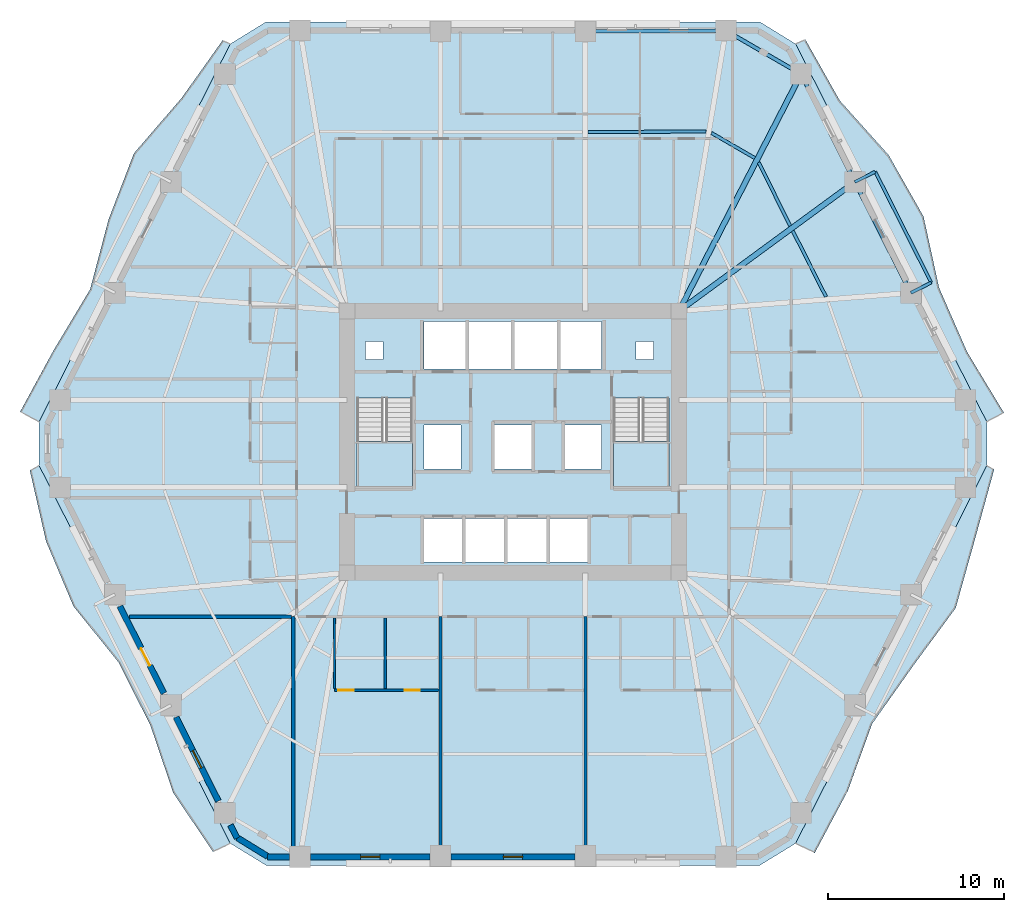
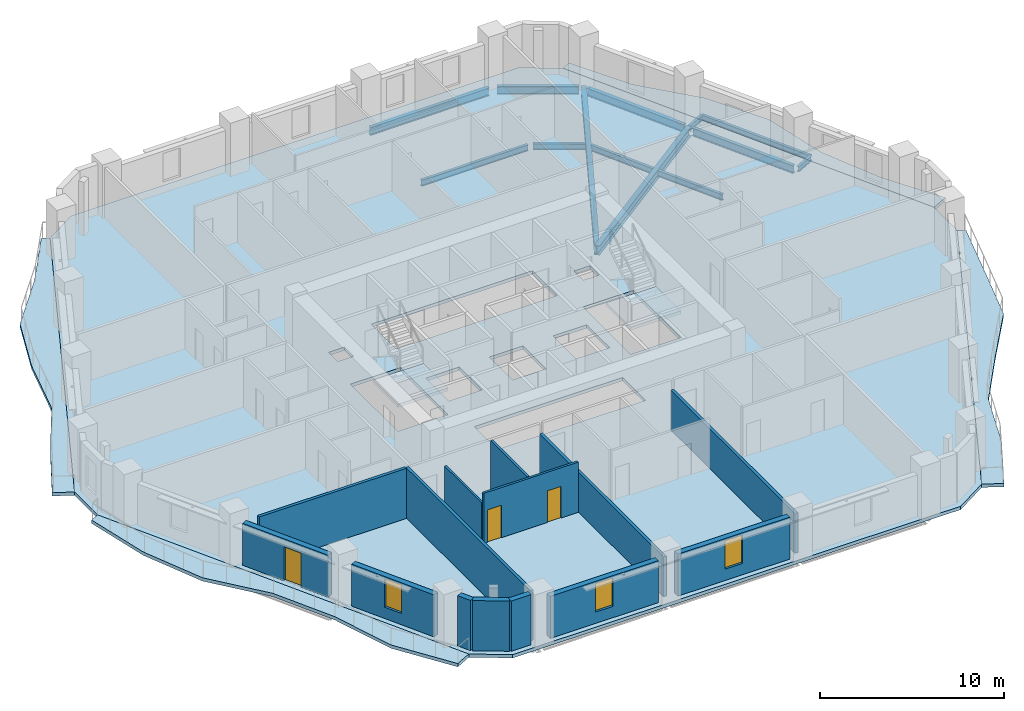
# One storey, part 3 of 14: 14 walls, 13 beams, 7 slabs, 3 doors, 3 windows, 6 openings, 2 elements without a shape of their own.
"""IFC4 building model written with IfcOpenShell, lengths in metres."""

from ifc_helpers import new_model, si_unit, direction, frame, frame_2d, origin, origin_2d, place, context, subcontext, project, spatial, polyline, rectangle, i_section, outline, extrude, material, layer, layer_set, material_profile, profile_set, type_object, element, fill, aggregate, save


model = new_model("IFC4")

# Units and contexts
model_context = context("Model", 3, precision=1e-05, world=origin(), true_north=direction((0.0, 1.0)))
body_context = subcontext(model_context, "Body", "Model", "MODEL_VIEW")
ifc_project = project(units=[si_unit("LENGTHUNIT", "METRE"), si_unit("AREAUNIT", "SQUARE_METRE"), si_unit("VOLUMEUNIT", "CUBIC_METRE"), si_unit("PLANEANGLEUNIT", "RADIAN"), si_unit("MASSUNIT", "GRAM", prefix="KILO")], contexts=[model_context])

# Site, building, storey
site_placement = place(None, origin())
site = spatial("IfcSite", under=ifc_project, at=site_placement, CompositionType="ELEMENT")
building_placement = place(site_placement, origin())
building = spatial("IfcBuilding", under=site, at=building_placement, Name="Cinnabar Lancet Tower", CompositionType="ELEMENT")
storey_placement = place(building_placement, frame((0.0, 0.0, 39.10009765625)))
storey = spatial("IfcBuildingStorey", under=building, at=storey_placement, Name="L09", CompositionType="ELEMENT", Elevation=39.10009765625)

# Beams
ifc_material_1 = material(Name="Structural steel S355", Category="steel")
ifc_material_profile_1 = material_profile(ifc_material_1, i_section(OverallWidth=0.177978515625, OverallDepth=0.406494140625, WebThickness=0.0078125, FlangeThickness=0.0126953125, FilletRadius=0.01025390625, at=origin_2d()), Name="UKB 406x178x60")
ifc_profile_set_1 = profile_set([ifc_material_profile_1], Name="Structural steel S355")
beam_type_1 = type_object("IfcBeamType", Name="STR-BM-JST-406", PredefinedType="JOIST", material=ifc_profile_set_1)
beam_1_placement = place(storey_placement, frame((50.220947265625, 34.156982421875, -0.423095703125), z_axis=(-0.450834254961, 0.89260768233, 0.0), x_axis=(-0.89260768233, -0.450834254961, 0.0)))
element("IfcBeam", 1, at=beam_1_placement, inside=storey, type_object=beam_type_1, Name="L09 Secondary Floor Joist 27", PredefinedType="JOIST", context=body_context, shape_type="SweptSolid", body=[
    extrude(i_section(OverallWidth=0.177978515625, OverallDepth=0.406494140625, WebThickness=0.0078125, FlangeThickness=0.0126953125, FilletRadius=0.01025390625, at=origin_2d()), origin(), (0.0, 0.0, 1.0), 4.203369140625),
])
beam_2_placement = place(storey_placement, frame((48.18603515625, 38.18798828125, -0.423095703125), z_axis=(-0.445738672706, 0.895163133543, 0.0), x_axis=(-0.895163133543, -0.445738672706, 0.0)))
element("IfcBeam", 2, at=beam_2_placement, inside=storey, type_object=beam_type_1, Name="L09 Secondary Floor Joist 29", PredefinedType="JOIST", context=body_context, shape_type="SweptSolid", body=[
    extrude(i_section(OverallWidth=0.177978515625, OverallDepth=0.406494140625, WebThickness=0.0078125, FlangeThickness=0.0126953125, FilletRadius=0.01025390625, at=origin_2d()), origin(), (0.0, 0.0, 1.0), 4.04052734375),
])
beam_3_placement = place(storey_placement, frame((46.1669921875, 42.052001953125, -0.423095703125), z_axis=(-0.865113631149, 0.50157592167, 0.0), x_axis=(-0.50157592167, -0.865113631149, 0.0)))
element("IfcBeam", 3, at=beam_3_placement, inside=storey, type_object=beam_type_1, Name="L09 Secondary Floor Joist 31", PredefinedType="JOIST", context=body_context, shape_type="SweptSolid", body=[
    extrude(i_section(OverallWidth=0.177978515625, OverallDepth=0.406494140625, WebThickness=0.0078125, FlangeThickness=0.0126953125, FilletRadius=0.01025390625, at=origin_2d()), origin(), (0.0, 0.0, 1.0), 2.852783203125),
])
beam_4_placement = place(storey_placement, frame((43.40087890625, 43.56396484375, -0.423095703125), z_axis=(-0.999988691118, -0.004755800274, 0.0), x_axis=(0.004755800274, -0.999988691118, 0.0)))
element("IfcBeam", 4, at=beam_4_placement, inside=storey, type_object=beam_type_1, Name="L09 Secondary Floor Joist 33", PredefinedType="JOIST", context=body_context, shape_type="SweptSolid", body=[
    extrude(i_section(OverallWidth=0.177978515625, OverallDepth=0.406494140625, WebThickness=0.0078125, FlangeThickness=0.0126953125, FilletRadius=0.01025390625, at=origin_2d()), origin(), (0.0, 0.0, 1.0), 6.724853515625),
])
ifc_material_2 = material(Name="Structural steel S355", Category="steel")
ifc_material_profile_2 = material_profile(ifc_material_2, i_section(OverallWidth=0.209228515625, OverallDepth=0.533203125, WebThickness=0.010009765625, FlangeThickness=0.015625, FilletRadius=0.0126953125, at=origin_2d()), Name="UKB 533x210x92")
ifc_profile_set_2 = profile_set([ifc_material_profile_2], Name="Structural steel S355")
beam_type_2 = type_object("IfcBeamType", Name="STR-BM-SPN-533", PredefinedType="SPANDREL", material=ifc_profile_set_2)
beam_5_placement = place(storey_placement, frame((54.93310546875, 34.60302734375, -0.487060546875), z_axis=(-0.450703143926, 0.892673891214, 0.0), x_axis=(-0.892673891214, -0.450703143926, 0.0)))
element("IfcBeam", 5, at=beam_5_placement, inside=storey, type_object=beam_type_2, Name="L09 Perimeter Spandrel 10", PredefinedType="SPANDREL", context=body_context, shape_type="SweptSolid", body=[
    extrude(i_section(OverallWidth=0.209228515625, OverallDepth=0.533203125, WebThickness=0.010009765625, FlangeThickness=0.015625, FilletRadius=0.0126953125, at=origin_2d()), origin(), (0.0, 0.0, 1.0), 6.570068359375),
])
beam_6_placement = place(storey_placement, frame((51.748046875, 40.9150390625, -0.487060546875), z_axis=(-0.445953050023, 0.89505635419, 0.0), x_axis=(-0.89505635419, -0.445953050023, 0.0)))
element("IfcBeam", 6, at=beam_6_placement, inside=storey, type_object=beam_type_2, Name="L09 Perimeter Spandrel 11", PredefinedType="SPANDREL", context=body_context, shape_type="SweptSolid", body=[
    extrude(i_section(OverallWidth=0.209228515625, OverallDepth=0.533203125, WebThickness=0.010009765625, FlangeThickness=0.015625, FilletRadius=0.0126953125, at=origin_2d()), origin(), (0.0, 0.0, 1.0), 6.35498046875),
])
beam_7_placement = place(storey_placement, frame((48.5869140625, 46.951904296875, -0.487060546875), z_axis=(-0.865147238596, 0.501517951374, 0.0), x_axis=(-0.501517951374, -0.865147238596, 0.0)))
element("IfcBeam", 7, at=beam_7_placement, inside=storey, type_object=beam_type_2, Name="L09 Perimeter Spandrel 12", PredefinedType="SPANDREL", context=body_context, shape_type="SweptSolid", body=[
    extrude(i_section(OverallWidth=0.209228515625, OverallDepth=0.533203125, WebThickness=0.010009765625, FlangeThickness=0.015625, FilletRadius=0.0126953125, at=origin_2d()), origin(), (0.0, 0.0, 1.0), 4.454833984375),
])
beam_8_placement = place(storey_placement, frame((44.26708984375, 49.30908203125, -0.487060546875), z_axis=(-0.99997856757, -0.006547090947, 0.0), x_axis=(0.006547090947, -0.99997856757, 0.0)))
element("IfcBeam", 8, at=beam_8_placement, inside=storey, type_object=beam_type_2, Name="L09 Perimeter Spandrel 13", PredefinedType="SPANDREL", context=body_context, shape_type="SweptSolid", body=[
    extrude(i_section(OverallWidth=0.209228515625, OverallDepth=0.533203125, WebThickness=0.010009765625, FlangeThickness=0.015625, FilletRadius=0.0126953125, at=origin_2d()), origin(), (0.0, 0.0, 1.0), 7.495361328125),
])
ifc_material_3 = material(Name="Structural steel S355", Category="steel")
ifc_material_profile_3 = material_profile(ifc_material_3, i_section(OverallWidth=0.30712890625, OverallDepth=0.6201171875, WebThickness=0.01416015625, FlangeThickness=0.023681640625, FilletRadius=0.0166015625, at=origin_2d()), Name="UKB 610x305x179")
ifc_profile_set_3 = profile_set([ifc_material_profile_3], Name="Structural steel S355")
beam_type_3 = type_object("IfcBeamType", Name="STR-BM-UKB610-179", PredefinedType="BEAM", material=ifc_profile_set_3)
beam_9_placement = place(storey_placement, frame((51.85888671875, 40.69091796875, -0.530029296875), z_axis=(-0.80636497312, -0.591418236213, 0.0), x_axis=(0.591418236213, -0.80636497312, 0.0)))
element("IfcBeam", 9, at=beam_9_placement, inside=storey, type_object=beam_type_3, Name="L09 Corner Collector Girder 3", PredefinedType="BEAM", context=body_context, shape_type="SweptSolid", body=[
    extrude(i_section(OverallWidth=0.30712890625, OverallDepth=0.6201171875, WebThickness=0.01416015625, FlangeThickness=0.023681640625, FilletRadius=0.0166015625, at=origin_2d()), origin(), (0.0, 0.0, 1.0), 12.412353515625),
])
beam_10_placement = place(storey_placement, frame((48.802978515625, 46.826904296875, -0.530029296875), z_axis=(-0.458492410387, -0.888698323177, 0.0), x_axis=(0.888698323177, -0.458492410387, 0.0)))
element("IfcBeam", 10, at=beam_10_placement, inside=storey, type_object=beam_type_3, Name="L09 Primary Floor Girder 12", PredefinedType="BEAM", context=body_context, shape_type="SweptSolid", body=[
    extrude(i_section(OverallWidth=0.30712890625, OverallDepth=0.6201171875, WebThickness=0.01416015625, FlangeThickness=0.023681640625, FilletRadius=0.0166015625, at=origin_2d()), origin(), (0.0, 0.0, 1.0), 15.16455078125),
])
ifc_material_4 = material(Name="Structural steel S355", Category="steel")
ifc_material_profile_4 = material_profile(ifc_material_4, i_section(OverallWidth=0.17138671875, OverallDepth=0.35498046875, WebThickness=0.00732421875, FlangeThickness=0.011474609375, FilletRadius=0.01025390625, at=origin_2d()), Name="UKB 356x171x51")
ifc_profile_set_4 = profile_set([ifc_material_profile_4], Name="Structural steel S355")
beam_type_4 = type_object("IfcBeamType", Name="STR-BM-WAV-OUT", PredefinedType="BEAM", material=ifc_profile_set_4)
for number, where, z_axis, x_axis, name in (
    (11, (55.0458984375, 34.3798828125, -0.397216796875), (0.892238560088, 0.451564338597, 0.0), (-0.451564338597, 0.892238560088, 0.0), "L09 Face 3 Balcony Outlooker A"),
    (12, (51.85888671875, 40.69091796875, -0.397216796875), (0.892238560088, 0.451564338597, 0.0), (-0.451564338597, 0.892238560088, 0.0), "L09 Face 3 Balcony Outlooker B"),
):
    element("IfcBeam", number, at=place(storey_placement, frame(where, z_axis=z_axis, x_axis=x_axis)), inside=storey, type_object=beam_type_4, Name=name, PredefinedType="BEAM", context=body_context, shape_type="SweptSolid", body=[
        extrude(i_section(OverallWidth=0.17138671875, OverallDepth=0.35498046875, WebThickness=0.00732421875, FlangeThickness=0.011474609375, FilletRadius=0.01025390625, at=origin_2d()), origin(), (0.0, 0.0, 1.0), 1.30029296875),
    ])
ifc_material_5 = material(Name="Structural steel S355", Category="steel")
ifc_material_profile_5 = material_profile(ifc_material_5, i_section(OverallWidth=0.17138671875, OverallDepth=0.35498046875, WebThickness=0.00732421875, FlangeThickness=0.011474609375, FilletRadius=0.01025390625, at=origin_2d()), Name="UKB 356x171x51")
ifc_profile_set_5 = profile_set([ifc_material_profile_5], Name="Structural steel S355")
beam_type_5 = type_object("IfcBeamType", Name="STR-BM-WAV-TRIM", PredefinedType="SPANDREL", material=ifc_profile_set_5)
beam_11_placement = place(storey_placement, frame((56.2060546875, 34.967041015625, -0.397216796875), z_axis=(-0.450773692627, 0.892638268301, 0.0), x_axis=(-0.892638268301, -0.450773692627, 0.0)))
element("IfcBeam", 13, at=beam_11_placement, inside=storey, type_object=beam_type_5, Name="L09 Face 3 Balcony Edge Trimmer", PredefinedType="SPANDREL", context=body_context, shape_type="SweptSolid", body=[
    extrude(i_section(OverallWidth=0.17138671875, OverallDepth=0.35498046875, WebThickness=0.00732421875, FlangeThickness=0.011474609375, FilletRadius=0.01025390625, at=origin_2d()), origin(), (0.0, 0.0, 1.0), 7.070068359375),
])

# Stair, slab
ifc_material_6 = material(Name="Concrete C40/50", Category="concrete")
stair_type = type_object("IfcStairType", Name="ST-CORE", PredefinedType="HALF_TURN_STAIR", material=ifc_material_6)
stair_1_placement = place(storey_placement, origin())
stair_1 = element("IfcStair", 14, at=stair_1_placement, inside=storey, type_object=stair_type, Name="L09 ST-1", PredefinedType="HALF_TURN_STAIR")
ifc_material_7 = material(Name="Concrete C40/50", Category="concrete")
ifc_layer_1 = layer(ifc_material_7, 0.199951171875)
ifc_layer_set_1 = layer_set([ifc_layer_1], Name="Concrete C40/50")
slab_type_1 = type_object("IfcSlabType", Name="LANDING-CORE", PredefinedType="LANDING", material=ifc_layer_set_1)
slab_1_placement = place(storey_placement, frame((0.0, 0.0, 1.574951171875)))
slab_1 = element("IfcSlab", 15, at=slab_1_placement, type_object=slab_type_1, Name="ST-1 landing 1", PredefinedType="LANDING", context=body_context, shape_type="SweptSolid", body=[
    extrude(outline(polyline([(23.52490234375, 25.925048828125), (23.52490234375, 23.25), (26.675048828125, 23.25), (26.675048828125, 25.925048828125), (23.52490234375, 25.925048828125)])), origin(), (0.0, 0.0, 1.0), 0.199951171875),
])
aggregate(stair_1, [slab_1])

stair_2_placement = place(storey_placement, origin())
stair_2 = element("IfcStair", 16, at=stair_2_placement, inside=storey, type_object=stair_type, Name="L09 ST-2", PredefinedType="HALF_TURN_STAIR")
slab_2_placement = place(storey_placement, frame((0.0, 0.0, 1.574951171875)))
slab_2 = element("IfcSlab", 17, at=slab_2_placement, type_object=slab_type_1, Name="ST-2 landing 1", PredefinedType="LANDING", context=body_context, shape_type="SweptSolid", body=[
    extrude(outline(polyline([(38.125, 25.925048828125), (38.125, 23.25), (41.27490234375, 23.25), (41.27490234375, 25.925048828125), (38.125, 25.925048828125)])), origin(), (0.0, 0.0, 1.0), 0.199951171875),
])
aggregate(stair_2, [slab_2])

# Slabs
ifc_material_8 = material(Name="Concrete C40/50", Category="concrete")
ifc_layer_2 = layer(ifc_material_8, 0.219970703125)
ifc_layer_set_2 = layer_set([ifc_layer_2], Name="Concrete C40/50")
slab_type_2 = type_object("IfcSlabType", Name="STR-SLB-FLR-220", PredefinedType="FLOOR", material=ifc_layer_set_2)
slab_3_placement = place(storey_placement, frame((0.0, 0.0, -0.22021484375)))
element("IfcSlab", 18, at=slab_3_placement, inside=storey, type_object=slab_type_2, Name="L09 Structural Floor Slab", PredefinedType="FLOOR", context=body_context, shape_type="SweptSolid", body=[
    extrude(outline(polyline([(16.31201171875, 3.049072265625), (18.343994140625, 1.800048828125), (46.4560546875, 1.800048828125), (48.488037109375, 3.049072265625), (59.367919921875, 24.551025390625), (59.367919921875, 27.049072265625), (48.488037109375, 48.551025390625), (46.4560546875, 49.800048828125), (18.343994140625, 49.800048828125), (16.31201171875, 48.551025390625), (5.431884765625, 27.049072265625), (5.431884765625, 24.551025390625), (16.31201171875, 3.049072265625)]), holes=[polyline([(23.52490234375, 23.25), (26.675048828125, 23.25), (26.675048828125, 28.3994140625), (23.52490234375, 28.3994140625), (23.52490234375, 23.25)]), polyline([(38.125, 23.25), (41.27490234375, 23.25), (41.27490234375, 28.3994140625), (38.125, 28.3994140625), (38.125, 23.25)]), polyline([(27.35009765625, 30.050048828125), (37.449951171875, 30.050048828125), (37.449951171875, 32.75), (27.35009765625, 32.75), (27.35009765625, 30.050048828125)]), polyline([(27.35009765625, 19.050048828125), (36.64990234375, 19.050048828125), (36.64990234375, 21.550048828125), (27.35009765625, 21.550048828125), (27.35009765625, 19.050048828125)]), polyline([(27.35009765625, 24.35009765625), (29.449951171875, 24.35009765625), (29.449951171875, 26.85009765625), (27.35009765625, 26.85009765625), (27.35009765625, 24.35009765625)]), polyline([(35.35009765625, 24.35009765625), (37.449951171875, 24.35009765625), (37.449951171875, 26.85009765625), (35.35009765625, 26.85009765625), (35.35009765625, 24.35009765625)]), polyline([(31.35009765625, 24.35009765625), (33.449951171875, 24.35009765625), (33.449951171875, 26.85009765625), (31.35009765625, 26.85009765625), (31.35009765625, 24.35009765625)]), polyline([(24.0, 30.60009765625), (25.0, 30.60009765625), (25.0, 31.60009765625), (24.0, 31.60009765625), (24.0, 30.60009765625)]), polyline([(39.39990234375, 30.60009765625), (40.39990234375, 30.60009765625), (40.39990234375, 31.60009765625), (39.39990234375, 31.60009765625), (39.39990234375, 30.60009765625)])]), origin(), (0.0, 0.0, 1.0), 0.22021484375),
])
ifc_material_9 = material(Name="Concrete C45/55", Category="concrete")
ifc_layer_3 = layer(ifc_material_9, 0.219970703125)
ifc_layer_set_3 = layer_set([ifc_layer_3], Name="Concrete C45/55")
slab_type_3 = type_object("IfcSlabType", Name="STR-SLB-WAV-220", PredefinedType="FLOOR", material=ifc_layer_set_3)
slab_4_placement = place(storey_placement, frame((0.0, 0.0, -0.22021484375)))
element("IfcSlab", 19, at=slab_4_placement, inside=storey, type_object=slab_type_3, Name="L09 Face 2 Undulating Wave Balcony Slab", PredefinedType="FLOOR", context=body_context, shape_type="SweptSolid", body=[
    extrude(outline(polyline([(48.488037109375, 3.049072265625), (49.573974609375, 2.5), (51.4609375, 6.0458984375), (52.839111328125, 9.85009765625), (55.18505859375, 13.1640625), (57.59912109375, 16.444091796875), (58.702880859375, 20.385986328125), (59.7900390625, 24.3369140625), (59.367919921875, 24.551025390625), (48.488037109375, 3.049072265625)])), origin(), (0.0, 0.0, 1.0), 0.22021484375),
])
slab_5_placement = place(storey_placement, frame((0.0, 0.0, -0.22021484375)))
element("IfcSlab", 20, at=slab_5_placement, inside=storey, type_object=slab_type_3, Name="L09 Face 3 Undulating Wave Balcony Slab", PredefinedType="FLOOR", context=body_context, shape_type="SweptSolid", body=[
    extrude(outline(polyline([(59.367919921875, 27.049072265625), (60.34912109375, 27.5458984375), (58.262939453125, 30.990966796875), (56.65087890625, 34.676025390625), (55.76611328125, 38.72998046875), (53.780029296875, 42.22607421875), (51.0009765625, 45.322021484375), (49.027099609375, 48.823974609375), (48.488037109375, 48.551025390625), (59.367919921875, 27.049072265625)])), origin(), (0.0, 0.0, 1.0), 0.22021484375),
])
slab_6_placement = place(storey_placement, frame((0.0, 0.0, -0.22021484375)))
element("IfcSlab", 21, at=slab_6_placement, inside=storey, type_object=slab_type_3, Name="L09 Face 5 Undulating Wave Balcony Slab", PredefinedType="FLOOR", context=body_context, shape_type="SweptSolid", body=[
    extrude(outline(polyline([(16.31201171875, 48.551025390625), (15.886962890625, 48.76611328125), (13.531005859375, 45.45703125), (10.8291015625, 42.322998046875), (9.383056640625, 38.553955078125), (8.3359375, 34.58203125), (6.264892578125, 31.12890625), (4.343994140625, 27.60009765625), (5.431884765625, 27.049072265625), (16.31201171875, 48.551025390625)])), origin(), (0.0, 0.0, 1.0), 0.22021484375),
])
slab_7_placement = place(storey_placement, frame((0.0, 0.0, -0.22021484375)))
element("IfcSlab", 22, at=slab_7_placement, inside=storey, type_object=slab_type_3, Name="L09 Face 6 Undulating Wave Balcony Slab", PredefinedType="FLOOR", context=body_context, shape_type="SweptSolid", body=[
    extrude(outline(polyline([(5.431884765625, 24.551025390625), (4.903076171875, 24.282958984375), (5.824951171875, 20.2490234375), (7.387939453125, 16.5380859375), (9.964111328125, 13.340087890625), (11.77001953125, 9.7529296875), (13.071044921875, 5.909912109375), (15.341064453125, 2.556884765625), (16.31201171875, 3.049072265625), (5.431884765625, 24.551025390625)])), origin(), (0.0, 0.0, 1.0), 0.22021484375),
])

# Walls
ifc_material_10 = material(Name="Fire-rated twin-frame acoustic drywall", Category="gypsum")
ifc_layer_4 = layer(ifc_material_10, 0.179931640625)
ifc_layer_set_4 = layer_set([ifc_layer_4], Name="Fire-rated twin-frame acoustic drywall")
wall_type_1 = type_object("IfcWallType", Name="ARC-WL-PARTY-180", PredefinedType="PARTITIONING", material=ifc_layer_set_4)
wall_1_placement = place(storey_placement, frame((19.89990234375, 2.455078125, 0.0), z_axis=(0.0, 0.0, 1.0), x_axis=(0.0, 1.0, 0.0)))
element("IfcWall", 23, at=wall_1_placement, inside=storey, type_object=wall_type_1, Name="PW-L09-SPTY-199", PredefinedType="PARTITIONING", context=body_context, shape_type="SweptSolid", body=[
    extrude(rectangle(XDim=13.494873046875, YDim=0.179931640625, at=frame_2d((6.74755859375, 0.0))), origin(), (0.0, 0.0, 1.0), 3.329833984375),
])
for number, where, z_axis, x_axis, name in (
    (24, (28.278076171875, 2.455078125, 0.0), (0.0, 0.0, 1.0), (0.0, 1.0, 0.0), "PW-L09-SPTY-283"),
    (25, (36.52197265625, 2.455078125, 0.0), (0.0, 0.0, 1.0), (0.0, 1.0, 0.0), "PW-L09-SPTY-365"),
):
    element("IfcWall", number, at=place(storey_placement, frame(where, z_axis=z_axis, x_axis=x_axis)), inside=storey, type_object=wall_type_1, Name=name, PredefinedType="PARTITIONING", context=body_context, shape_type="SweptSolid", body=[
        extrude(rectangle(XDim=13.494873046875, YDim=0.179931640625, at=frame_2d((6.74755859375, 0.0))), origin(), (0.0, 0.0, 1.0), 2.635986328125),
    ])
wall_2_placement = place(storey_placement, frame((10.56396484375, 15.949951171875, 0.0), z_axis=(0.0, 0.0, 1.0), x_axis=(1.0, 0.0, 0.0)))
element("IfcWall", 26, at=wall_2_placement, inside=storey, type_object=wall_type_1, Name="PW-L09-WSB", PredefinedType="PARTITIONING", context=body_context, shape_type="SweptSolid", body=[
    extrude(rectangle(XDim=9.240966796875, YDim=0.179931640625, at=frame_2d((4.62060546875, 0.0))), origin(), (0.0, 0.0, 1.0), 3.329833984375),
])
ifc_material_11 = material(Name="Gypsum plasterboard stud partition", Category="gypsum")
ifc_layer_5 = layer(ifc_material_11, 0.125)
ifc_layer_set_5 = layer_set([ifc_layer_5], Name="Gypsum plasterboard stud partition")
wall_type_2 = type_object("IfcWallType", Name="ARC-WL-UNIT-125", PredefinedType="PARTITIONING", material=ifc_layer_set_5)
wall_3_placement = place(storey_placement, frame((22.25, 11.8720703125, 0.0), z_axis=(0.0, 0.0, 1.0), x_axis=(0.0, 1.0, 0.0)))
element("IfcWall", 27, at=wall_3_placement, inside=storey, type_object=wall_type_2, Name="UW-L09-S01-FOYE", PredefinedType="PARTITIONING", context=body_context, shape_type="SweptSolid", body=[
    extrude(rectangle(XDim=3.992919921875, YDim=0.125, at=frame_2d((1.99658203125, 0.0))), origin(), (0.0, 0.0, 1.0), 2.635986328125),
])

# Wall, openings, doors
ifc_material_12 = material(Name="Moisture-resistant cement-board plumbing wall", Category="masonry")
ifc_layer_6 = layer(ifc_material_12, 0.139892578125)
ifc_layer_set_6 = layer_set([ifc_layer_6], Name="Moisture-resistant cement-board plumbing wall")
wall_type_3 = type_object("IfcWallType", Name="ARC-WL-WET-140", PredefinedType="PLUMBINGWALL", material=ifc_layer_set_6)
wall_4_placement = place(storey_placement, frame((22.25, 11.76708984375, 0.0), z_axis=(0.0, 0.0, 1.0), x_axis=(1.0, 0.0, 0.0)))
wall_4 = element("IfcWall", 28, at=wall_4_placement, inside=storey, type_object=wall_type_3, Name="UW-L09-S01-SPL", PredefinedType="PLUMBINGWALL", context=body_context, shape_type="SweptSolid", body=[
    extrude(rectangle(XDim=5.93310546875, YDim=0.139892578125, at=frame_2d((2.966552734375, 0.0))), origin(), (0.0, 0.0, 1.0), 3.329833984375),
])
opening_1_placement = place(wall_4_placement, frame((3.988037109375, 0.0, 0.0)))
opening_1 = element("IfcOpeningElement", 29, at=opening_1_placement, cuts=wall_4, Name="Opening BD-01", PredefinedType="OPENING", context=body_context, shape_type="SweptSolid", body=[
    extrude(rectangle(XDim=0.860107421875, YDim=2.10009765625, at=frame_2d((0.43017578125, 1.050048828125))), frame((0.0, 0.079833984375, 0.0), z_axis=(0.0, -1.0, 0.0), x_axis=(1.0, 0.0, 0.0)), (0.0, 0.0, 1.0), 0.159912109375),
])
opening_2_placement = place(wall_4_placement, frame((0.219970703125, 0.0, 0.0)))
opening_2 = element("IfcOpeningElement", 30, at=opening_2_placement, cuts=wall_4, Name="Opening RD-02", PredefinedType="OPENING", context=body_context, shape_type="SweptSolid", body=[
    extrude(rectangle(XDim=0.8798828125, YDim=2.14990234375, at=frame_2d((0.43994140625, 1.074951171875))), frame((0.0, 0.079833984375, 0.0), z_axis=(0.0, -1.0, 0.0), x_axis=(1.0, 0.0, 0.0)), (0.0, 0.0, 1.0), 0.159912109375),
])
ifc_material_13 = material(Name="Moisture-resistant timber bathroom door", Category="wood")
door_type_1 = type_object("IfcDoorType", Name="ARC-DR-BATH", OperationType="NOTDEFINED", PredefinedType="DOOR", material=ifc_material_13)
door_1_placement = place(opening_1_placement, origin())
door_1 = element("IfcDoor", 31, at=door_1_placement, inside=storey, type_object=door_type_1, Name="DR-L09-S01-BTH", OperationType="SINGLE_SWING_LEFT", OverallHeight=2.10009765625, OverallWidth=0.860107421875, PredefinedType="DOOR", context=body_context, shape_type="SweptSolid", body=[
    extrude(rectangle(XDim=0.860107421875, YDim=2.10009765625, at=frame_2d((0.43017578125, 1.050048828125))), frame((0.0, 0.02490234375, 0.0), z_axis=(0.0, -1.0, 0.0), x_axis=(1.0, 0.0, 0.0)), (0.0, 0.0, 1.0), 0.050048828125),
])
fill(opening_1, door_1)
ifc_material_14 = material(Name="Engineered timber study door", Category="wood")
door_type_2 = type_object("IfcDoorType", Name="ARC-DR-STUDY", OperationType="NOTDEFINED", PredefinedType="DOOR", material=ifc_material_14)
door_2_placement = place(opening_2_placement, origin())
door_2 = element("IfcDoor", 32, at=door_2_placement, inside=storey, type_object=door_type_2, Name="DR-L09-S01-KIT", OperationType="SINGLE_SWING_RIGHT", OverallHeight=2.14990234375, OverallWidth=0.8798828125, PredefinedType="DOOR", context=body_context, shape_type="SweptSolid", body=[
    extrude(rectangle(XDim=0.8798828125, YDim=2.14990234375, at=frame_2d((0.43994140625, 1.074951171875))), frame((0.0, 0.02490234375, 0.0), z_axis=(0.0, -1.0, 0.0), x_axis=(1.0, 0.0, 0.0)), (0.0, 0.0, 1.0), 0.050048828125),
])
fill(opening_2, door_2)

# Walls
wall_5_placement = place(storey_placement, frame((25.14306640625, 11.8720703125, 0.0), z_axis=(0.0, 0.0, 1.0), x_axis=(0.0, 1.0, 0.0)))
element("IfcWall", 33, at=wall_5_placement, inside=storey, type_object=wall_type_3, Name="UW-L09-S01-KDV", PredefinedType="PLUMBINGWALL", context=body_context, shape_type="SweptSolid", body=[
    extrude(rectangle(XDim=3.992919921875, YDim=0.139892578125, at=frame_2d((1.99658203125, 0.0))), origin(), (0.0, 0.0, 1.0), 3.329833984375),
])
ifc_material_15 = material(Name="Cinnabar red clay brick", Category="masonry")
ifc_layer_7 = layer(ifc_material_15, 0.340087890625)
ifc_layer_set_7 = layer_set([ifc_layer_7], Name="Cinnabar red clay brick")
wall_type_4 = type_object("IfcWallType", Name="ENV-WL-BRK-RED-340", PredefinedType="STANDARD", material=ifc_layer_set_7)
wall_6_placement = place(storey_placement, frame((16.719970703125, 3.362060546875, 0.0), z_axis=(0.0, 0.0, 1.0), x_axis=(0.851816122478, -0.523840904748, 0.0)))
element("IfcWall", 34, at=wall_6_placement, inside=storey, type_object=wall_type_4, Name="L09 Chamfered Corner Brick Pier 1.1", PredefinedType="STANDARD", context=body_context, shape_type="SweptSolid", body=[
    extrude(rectangle(XDim=2.01806640625, YDim=0.340087890625, at=frame_2d((1.009033203125, 0.0))), origin(), (0.0, 0.0, 1.0), 3.329833984375),
])
wall_7_placement = place(storey_placement, frame((18.43408203125, 2.280029296875, 0.0), z_axis=(0.0, 0.0, 1.0), x_axis=(1.0, 0.0, 0.0)))
element("IfcWall", 35, at=wall_7_placement, inside=storey, type_object=wall_type_4, Name="L09 Face 1 Masonry Bay Wall 1", PredefinedType="STANDARD", context=body_context, shape_type="SweptSolid", body=[
    extrude(rectangle(XDim=1.244873046875, YDim=0.340087890625, at=frame_2d((0.62255859375, 0.0))), origin(), (0.0, 0.0, 1.0), 3.329833984375),
])

# Wall, opening, window
wall_8_placement = place(storey_placement, frame((20.886962890625, 2.280029296875, 0.0), z_axis=(0.0, 0.0, 1.0), x_axis=(1.0, 0.0, 0.0)))
wall_8 = element("IfcWall", 36, at=wall_8_placement, inside=storey, type_object=wall_type_4, Name="L09 Face 1 Masonry Bay Wall 2", PredefinedType="STANDARD", context=body_context, shape_type="SweptSolid", body=[
    extrude(rectangle(XDim=6.787109375, YDim=0.340087890625, at=frame_2d((3.3935546875, 0.0))), origin(), (0.0, 0.0, 1.0), 2.786865234375),
])
opening_3_placement = place(wall_8_placement, frame((2.843017578125, 0.0, 0.75)))
opening_3 = element("IfcOpeningElement", 37, at=opening_3_placement, cuts=wall_8, Name="Opening WN-04", PredefinedType="OPENING", context=body_context, shape_type="SweptSolid", body=[
    extrude(rectangle(XDim=1.10009765625, YDim=1.886962890625, at=frame_2d((0.550048828125, 0.943359375))), frame((0.0, 0.179931640625, 0.0), z_axis=(0.0, -1.0, 0.0), x_axis=(1.0, 0.0, 0.0)), (0.0, 0.0, 1.0), 0.360107421875),
])
ifc_material_16 = material(Name="Thermally broken bronze-anodized aluminium tall lancet window", Category="aluminium")
window_type = type_object("IfcWindowType", Name="ENV-WN-LANCET-1100", PartitioningType="SINGLE_PANEL", PredefinedType="WINDOW", material=ifc_material_16)
window_1_placement = place(opening_3_placement, origin())
window_1 = element("IfcWindow", 38, at=window_1_placement, inside=storey, type_object=window_type, Name="L09 Face 1 Gothic Lancet Window 2", OverallHeight=1.886962890625, OverallWidth=1.10009765625, PartitioningType="SINGLE_PANEL", PredefinedType="WINDOW", context=body_context, shape_type="SweptSolid", body=[
    extrude(rectangle(XDim=1.10009765625, YDim=1.886962890625, at=frame_2d((0.550048828125, 0.943359375))), frame((0.0, 0.030029296875, 0.0), z_axis=(0.0, -1.0, 0.0), x_axis=(1.0, 0.0, 0.0)), (0.0, 0.0, 1.0), 0.06005859375),
])
fill(opening_3, window_1)

wall_9_placement = place(storey_placement, frame((28.882080078125, 2.280029296875, 0.0), z_axis=(0.0, 0.0, 1.0), x_axis=(1.0, 0.0, 0.0)))
wall_9 = element("IfcWall", 39, at=wall_9_placement, inside=storey, type_object=wall_type_4, Name="L09 Face 1 Masonry Bay Wall 3", PredefinedType="STANDARD", context=body_context, shape_type="SweptSolid", body=[
    extrude(rectangle(XDim=7.035888671875, YDim=0.340087890625, at=frame_2d((3.51806640625, 0.0))), origin(), (0.0, 0.0, 1.0), 2.786865234375),
])
opening_4_placement = place(wall_9_placement, frame((2.968017578125, 0.0, 0.75)))
opening_4 = element("IfcOpeningElement", 40, at=opening_4_placement, cuts=wall_9, Name="Opening WN-04", PredefinedType="OPENING", context=body_context, shape_type="SweptSolid", body=[
    extrude(rectangle(XDim=1.10009765625, YDim=1.886962890625, at=frame_2d((0.550048828125, 0.943359375))), frame((0.0, 0.179931640625, 0.0), z_axis=(0.0, -1.0, 0.0), x_axis=(1.0, 0.0, 0.0)), (0.0, 0.0, 1.0), 0.360107421875),
])
window_2_placement = place(opening_4_placement, origin())
window_2 = element("IfcWindow", 41, at=window_2_placement, inside=storey, type_object=window_type, Name="L09 Face 1 Gothic Lancet Window 3", OverallHeight=1.886962890625, OverallWidth=1.10009765625, PartitioningType="SINGLE_PANEL", PredefinedType="WINDOW", context=body_context, shape_type="SweptSolid", body=[
    extrude(rectangle(XDim=1.10009765625, YDim=1.886962890625, at=frame_2d((0.550048828125, 0.943359375))), frame((0.0, 0.030029296875, 0.0), z_axis=(0.0, -1.0, 0.0), x_axis=(1.0, 0.0, 0.0)), (0.0, 0.0, 1.0), 0.06005859375),
])
fill(opening_4, window_2)

# Wall, opening, door
wall_10_placement = place(storey_placement, frame((10.02392578125, 16.5390625, 0.0), z_axis=(0.0, 0.0, 1.0), x_axis=(0.451627137896, -0.892206774417, 0.0)))
wall_10 = element("IfcWall", 42, at=wall_10_placement, inside=storey, type_object=wall_type_4, Name="L09 Face 6 Masonry Bay Wall 3", PredefinedType="STANDARD", context=body_context, shape_type="SweptSolid", body=[
    extrude(rectangle(XDim=5.546875, YDim=0.340087890625, at=frame_2d((2.7734375, 0.0))), origin(), (0.0, 0.0, 1.0), 2.786865234375),
])
opening_5_placement = place(wall_10_placement, frame((2.678955078125, 0.0, 0.0)))
opening_5 = element("IfcOpeningElement", 43, at=opening_5_placement, cuts=wall_10, Name="Opening TD-01", PredefinedType="OPENING", context=body_context, shape_type="SweptSolid", body=[
    extrude(rectangle(XDim=1.10009765625, YDim=2.25, at=frame_2d((0.550048828125, 1.125))), frame((0.0, 0.179931640625, 0.0), z_axis=(0.0, -1.0, 0.0), x_axis=(1.0, 0.0, 0.0)), (0.0, 0.0, 1.0), 0.360107421875),
])
ifc_material_17 = material(Name="Thermally broken low-E glazed balcony terrace door", Category="wood")
door_type_3 = type_object("IfcDoorType", Name="ARC-DR-BALC", OperationType="NOTDEFINED", PredefinedType="DOOR", material=ifc_material_17)
door_3_placement = place(opening_5_placement, origin())
door_3 = element("IfcDoor", 44, at=door_3_placement, inside=storey, type_object=door_type_3, Name="L09 Face 6 Glazed Terrace Door", OperationType="SINGLE_SWING_RIGHT", OverallHeight=2.25, OverallWidth=1.10009765625, PredefinedType="DOOR", context=body_context, shape_type="SweptSolid", body=[
    extrude(rectangle(XDim=1.10009765625, YDim=2.25, at=frame_2d((0.550048828125, 1.125))), frame((0.0, 0.02490234375, 0.0), z_axis=(0.0, -1.0, 0.0), x_axis=(1.0, 0.0, 0.0)), (0.0, 0.0, 1.0), 0.050048828125),
])
fill(opening_5, door_3)

# Wall, opening, window
wall_11_placement = place(storey_placement, frame((13.217041015625, 10.22802734375, 0.0), z_axis=(0.0, 0.0, 1.0), x_axis=(0.451697561555, -0.892171123095, 0.0)))
wall_11 = element("IfcWall", 45, at=wall_11_placement, inside=storey, type_object=wall_type_4, Name="L09 Face 6 Masonry Bay Wall 4", PredefinedType="STANDARD", context=body_context, shape_type="SweptSolid", body=[
    extrude(rectangle(XDim=5.350830078125, YDim=0.340087890625, at=frame_2d((2.67529296875, 0.0))), origin(), (0.0, 0.0, 1.0), 2.786865234375),
])
opening_6_placement = place(wall_11_placement, frame((2.125, 0.0, 0.75)))
opening_6 = element("IfcOpeningElement", 46, at=opening_6_placement, cuts=wall_11, Name="Opening WN-04", PredefinedType="OPENING", context=body_context, shape_type="SweptSolid", body=[
    extrude(rectangle(XDim=1.10009765625, YDim=1.886962890625, at=frame_2d((0.550048828125, 0.943359375))), frame((0.0, 0.179931640625, 0.0), z_axis=(0.0, -1.0, 0.0), x_axis=(1.0, 0.0, 0.0)), (0.0, 0.0, 1.0), 0.360107421875),
])
window_3_placement = place(opening_6_placement, origin())
window_3 = element("IfcWindow", 47, at=window_3_placement, inside=storey, type_object=window_type, Name="L09 Face 6 Gothic Lancet Window 4", OverallHeight=1.886962890625, OverallWidth=1.10009765625, PartitioningType="SINGLE_PANEL", PredefinedType="WINDOW", context=body_context, shape_type="SweptSolid", body=[
    extrude(rectangle(XDim=1.10009765625, YDim=1.886962890625, at=frame_2d((0.550048828125, 0.943359375))), frame((0.0, 0.030029296875, 0.0), z_axis=(0.0, -1.0, 0.0), x_axis=(1.0, 0.0, 0.0)), (0.0, 0.0, 1.0), 0.06005859375),
])
fill(opening_6, window_3)

# Wall
wall_12_placement = place(storey_placement, frame((16.322021484375, 4.092041015625, 0.0), z_axis=(0.0, 0.0, 1.0), x_axis=(0.45187807258, -0.892079709175, 0.0)))
element("IfcWall", 48, at=wall_12_placement, inside=storey, type_object=wall_type_4, Name="L09 Face 6 Masonry Bay Wall 5", PredefinedType="STANDARD", context=body_context, shape_type="SweptSolid", body=[
    extrude(rectangle(XDim=0.83642578125, YDim=0.340087890625, at=frame_2d((0.418212890625, 0.0))), origin(), (0.0, 0.0, 1.0), 3.329833984375),
])

save(model, "model.ifc")
